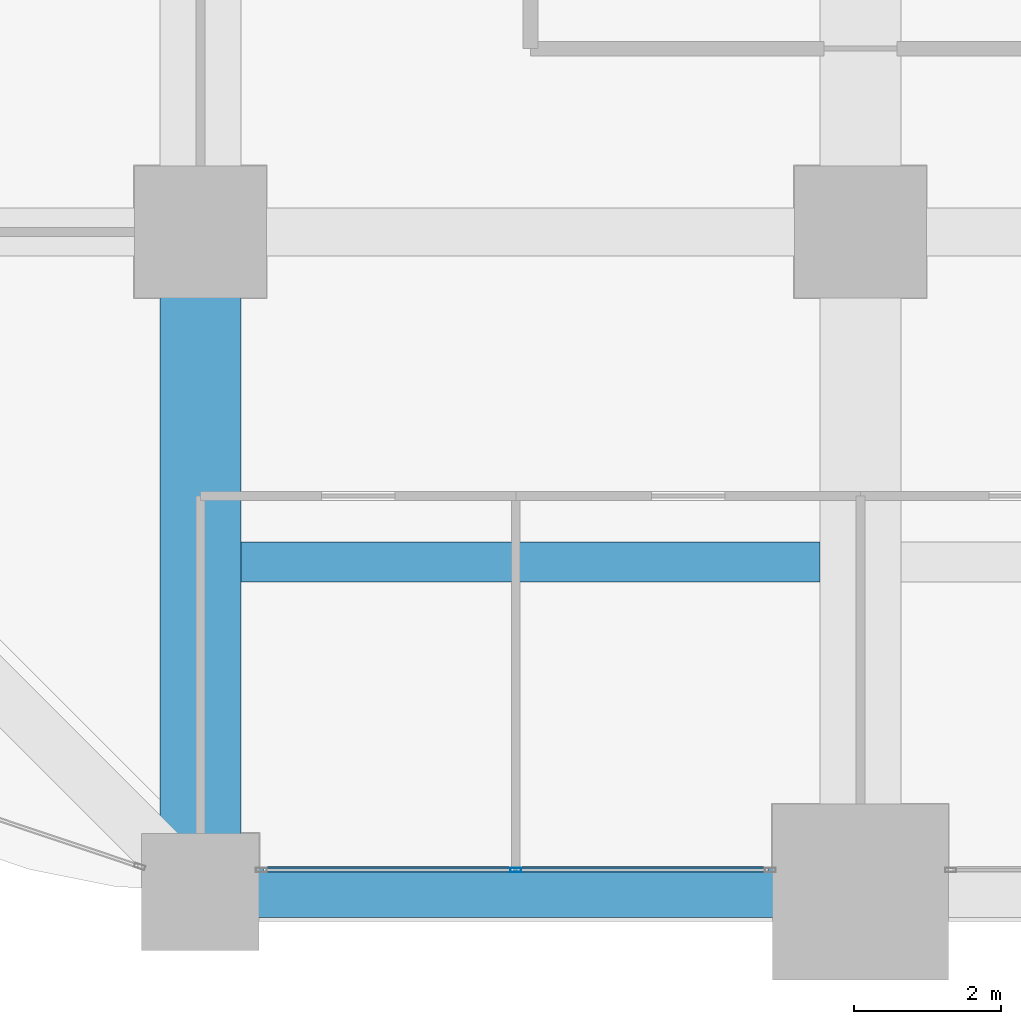
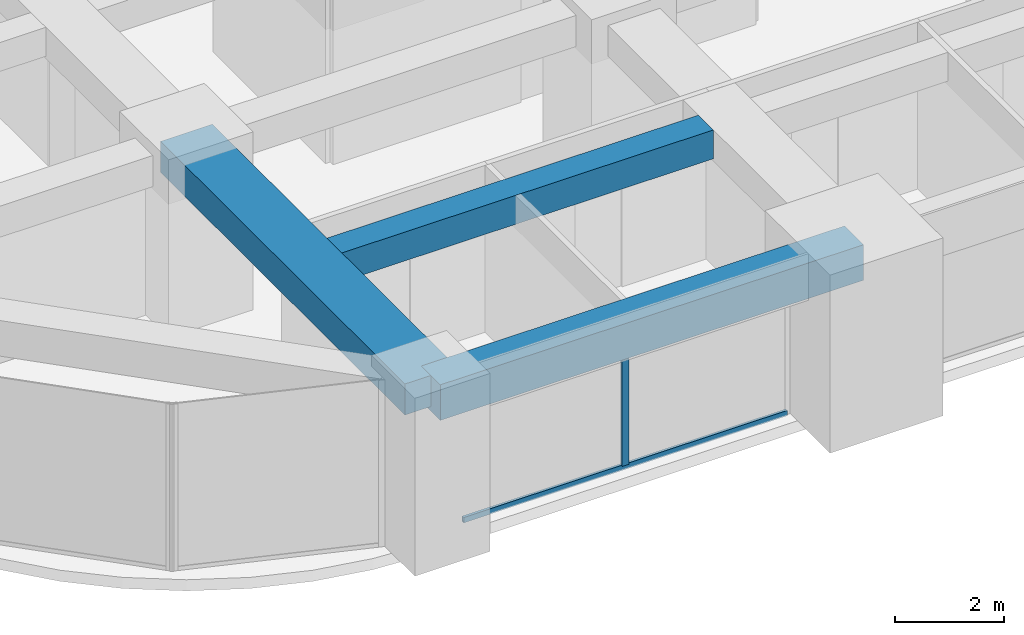
# One storey, part 3 of 40: 3 beams, 2 members, 1 element without a shape of its own.
"""IFC4 building model written with IfcOpenShell, lengths in metres."""

import ifcopenshell
import ifcopenshell.guid

model = None  # the IFC model being written
_history = None  # IfcOwnerHistory: only IFC2X3 demands one
_inside = {}  # id of a spatial element -> (the spatial element, [elements in it])
_under = {}  # id of a project, library or spatial element -> (it, [spatial elements below it])
_declared = {}  # id of a project -> (the project, [libraries it declares])
_typed = {}  # id of a type object -> (the type object, [elements of that type])
_made_of = {}  # id of a material, layer set ... -> (it, [elements and type objects made of it])


def new_model(schema):
    """Start an empty IFC model of exactly this schema.

    Asked for "IFC4X3", IfcOpenShell would pick the latest addendum, in which some entities
    have other attributes; the version numbers below select the first issue.
    IFC2X3 requires an IfcOwnerHistory on every rooted entity: one is made here for all.
    """
    global model, _history
    if schema == "IFC4X3":
        model = ifcopenshell.file(schema_version=(4, 3, 0, 0))
    else:
        model = ifcopenshell.file(schema=schema)
    _inside.clear()
    _under.clear()
    _declared.clear()
    _typed.clear()
    _made_of.clear()
    _history = None
    if model.schema == "IFC2X3":
        org = make("IfcOrganization", Name="unknown")
        user = make(
            "IfcPersonAndOrganization",
            ThePerson=make("IfcPerson", FamilyName="unknown"),
            TheOrganization=org,
        )
        app = make(
            "IfcApplication",
            ApplicationDeveloper=org,
            Version="unknown",
            ApplicationFullName="unknown",
            ApplicationIdentifier="unknown",
        )
        _history = make(
            "IfcOwnerHistory",
            OwningUser=user,
            OwningApplication=app,
            ChangeAction="ADDED",
            CreationDate=0,
        )
    return model


def make(cls, **values):
    """One entity of the class cls with the attributes given. An attribute that is None is left unset."""
    return model.create_entity(
        cls, **{name: value for name, value in values.items() if value is not None}
    )


def rooted(cls, **values):
    """An entity with a GlobalId (a new one), such as an element, a storey or a relation."""
    return make(cls, GlobalId=ifcopenshell.guid.new(), OwnerHistory=_history, **values)


def si_unit(unit_type, name, prefix=None):
    """IfcSIUnit, for example si_unit("LENGTHUNIT", "METRE", prefix="MILLI")."""
    return make("IfcSIUnit", UnitType=unit_type, Prefix=prefix, Name=name)


def assignment(units):
    """IfcUnitAssignment: the units of a project."""
    return None if units is None else make("IfcUnitAssignment", Units=units)


def point(xyz):
    """IfcCartesianPoint."""
    return None if xyz is None else make("IfcCartesianPoint", Coordinates=xyz)


def direction(xyz):
    """IfcDirection."""
    return None if xyz is None else make("IfcDirection", DirectionRatios=xyz)


def frame(location, z_axis=None, x_axis=None):
    """IfcAxis2Placement3D, a coordinate frame: its origin and axes. An axis left out is left unset."""
    return make(
        "IfcAxis2Placement3D",
        Location=point(location),
        Axis=direction(z_axis),
        RefDirection=direction(x_axis),
    )


def frame_2d(location, x_axis=None):
    """IfcAxis2Placement2D, a coordinate frame in the plane: its origin and x axis."""
    return make(
        "IfcAxis2Placement2D", Location=point(location), RefDirection=direction(x_axis)
    )


def origin():
    """The frame at (0, 0, 0) with its axes left unset."""
    return frame((0.0, 0.0, 0.0))


def origin_2d():
    """The frame at (0, 0) in the plane with its x axis left unset."""
    return frame_2d((0.0, 0.0))


def place(relative_to, where):
    """IfcLocalPlacement: puts the frame where relative to a parent placement (None: the world)."""
    return make(
        "IfcLocalPlacement", PlacementRelTo=relative_to, RelativePlacement=where
    )


def context(
    kind, dimensions, precision=None, world=None, true_north=None, identifier=None
):
    """IfcGeometricRepresentationContext, for example the 3D "Model" context."""
    return make(
        "IfcGeometricRepresentationContext",
        ContextIdentifier=identifier,
        ContextType=kind,
        CoordinateSpaceDimension=dimensions,
        Precision=precision,
        WorldCoordinateSystem=world,
        TrueNorth=true_north,
    )


def subcontext(parent, identifier, kind, view, scale=None):
    """IfcGeometricRepresentationSubContext, for example "Body" below "Model"."""
    return make(
        "IfcGeometricRepresentationSubContext",
        ContextIdentifier=identifier,
        ContextType=kind,
        ParentContext=parent,
        TargetScale=scale,
        TargetView=view,
    )


def project(units=None, contexts=None):
    """IfcProject with its units and contexts."""
    return rooted(
        "IfcProject",
        Name="project",
        RepresentationContexts=contexts,
        UnitsInContext=assignment(units),
    )


def spatial(cls, under=None, at=None, **own):
    """A site, building, storey or space (cls), placed at a placement, below another one or the project."""
    s = rooted(cls, ObjectPlacement=at, **own)
    if under is not None:
        _under.setdefault(under.id(), (under, []))[1].append(s)
    return s


def profile(cls, at=None, kind="AREA", **sizes):
    """A parametric profile (cls). Its sizes go by their IFC names, for example OverallWidth=200.0."""
    return make(cls, ProfileType=kind, Position=at, **sizes)


def rectangle(**sizes):
    """IfcRectangleProfileDef."""
    return profile("IfcRectangleProfileDef", **sizes)


def hollow_rectangle(**sizes):
    """IfcRectangleHollowProfileDef."""
    return profile("IfcRectangleHollowProfileDef", **sizes)


def extrude(swept, where, along, depth):
    """IfcExtrudedAreaSolid: the profile swept, set in the frame where, extruded along a direction by depth."""
    return make(
        "IfcExtrudedAreaSolid",
        SweptArea=swept,
        Position=where,
        ExtrudedDirection=direction(along),
        Depth=depth,
    )


def shape(context_of_items, identifier, shape_type, items):
    """IfcShapeRepresentation: the items that make up one representation, for example the "Body"."""
    return make(
        "IfcShapeRepresentation",
        ContextOfItems=context_of_items,
        RepresentationIdentifier=identifier,
        RepresentationType=shape_type,
        Items=items,
    )


def material(Name=None, Category=None):
    """IfcMaterial."""
    return make("IfcMaterial", Name=Name, Category=Category)


def material_profile(
    of_material, cross_section, Name=None, Category=None, Priority=None
):
    """IfcMaterialProfile: a cross section and its material."""
    return make(
        "IfcMaterialProfile",
        Name=Name,
        Material=of_material,
        Profile=cross_section,
        Priority=Priority,
        Category=Category,
    )


def profile_set(profiles, Name=None, composite=None):
    """IfcMaterialProfileSet."""
    return make(
        "IfcMaterialProfileSet",
        Name=Name,
        MaterialProfiles=profiles,
        CompositeProfile=composite,
    )


def made_of(thing, what):
    """Note that an element or type object is made of a material, layer set ...; save() writes the relation."""
    if what is not None:
        _made_of.setdefault(what.id(), (what, []))[1].append(thing)
    return thing


def type_object(cls, material=None, **own):
    """A type object (cls), such as IfcWallType, which elements share."""
    return made_of(rooted(cls, **own), material)


def element(
    cls,
    number,
    at=None,
    inside=None,
    cuts=None,
    type_object=None,
    material=None,
    context=None,
    identifier="Body",
    shape_type=None,
    held_by="IfcProductDefinitionShape",
    body=None,
    shapes=None,
    **own,
):
    """One element of the class cls, such as IfcWall. Its Tag is "e" and its number.

    at: its placement. inside: the storey or other place that contains it. cuts: it is an
    opening in that element (IfcRelVoidsElement). A single representation is given by context,
    identifier, shape_type and body (its items); several are given by shapes. held_by: the class
    of the entity that holds the representations. save() writes the other relations.
    """
    e = rooted(cls, Tag="e%d" % number, ObjectPlacement=at, **own)
    if body is not None:
        shapes = [shape(context, identifier, shape_type, body)]
    if shapes is not None:
        e.Representation = make(held_by, Representations=shapes)
    if inside is not None:
        _inside.setdefault(inside.id(), (inside, []))[1].append(e)
    if cuts is not None:
        rooted(
            "IfcRelVoidsElement", RelatingBuildingElement=cuts, RelatedOpeningElement=e
        )
    if type_object is not None:
        _typed.setdefault(type_object.id(), (type_object, []))[1].append(e)
    return made_of(e, material)


def aggregate(whole, parts):
    """IfcRelAggregates: a whole, such as a stair, and the parts it consists of."""
    return rooted("IfcRelAggregates", RelatingObject=whole, RelatedObjects=parts)


def save(model, path):
    """Write the relations noted so far, then the file.

    IfcRelAggregates (storeys below a building ...), IfcRelContainedInSpatialStructure (elements
    in a storey), IfcRelDefinesByType, IfcRelAssociatesMaterial and IfcRelDeclares: one each for
    every whole, place, type object, material and project.
    """
    for whole, parts in _under.values():
        aggregate(whole, parts)
    for where, things in _inside.values():
        rooted(
            "IfcRelContainedInSpatialStructure",
            RelatedElements=things,
            RelatingStructure=where,
        )
    for kind, things in _typed.values():
        rooted("IfcRelDefinesByType", RelatedObjects=things, RelatingType=kind)
    for what, things in _made_of.values():
        rooted("IfcRelAssociatesMaterial", RelatedObjects=things, RelatingMaterial=what)
    for by, libraries in _declared.values():
        rooted("IfcRelDeclares", RelatingContext=by, RelatedDefinitions=libraries)
    model.write(path)


model = new_model("IFC4")

# Units and contexts
model_context = context("Model", 3, precision=1e-05, world=origin(), true_north=direction((0.0, 1.0)))
body_context = subcontext(model_context, "Body", "Model", "MODEL_VIEW")
ifc_project = project(units=[si_unit("LENGTHUNIT", "METRE"), si_unit("AREAUNIT", "SQUARE_METRE"), si_unit("VOLUMEUNIT", "CUBIC_METRE"), si_unit("PLANEANGLEUNIT", "RADIAN"), si_unit("MASSUNIT", "GRAM", prefix="KILO")], contexts=[model_context])

# Site, building, storey
site_placement = place(None, origin())
site = spatial("IfcSite", under=ifc_project, at=site_placement, CompositionType="ELEMENT")
building_placement = place(site_placement, origin())
building = spatial("IfcBuilding", under=site, at=building_placement, Name="Zorevar Civic Tower", CompositionType="ELEMENT")
storey_placement = place(building_placement, frame((0.0, 0.0, 133.0)))
storey = spatial("IfcBuildingStorey", under=building, at=storey_placement, Name="L32", CompositionType="ELEMENT", Elevation=133.0)

# Beams
ifc_material_1 = material(Name="Concrete C50/60", Category="concrete")
ifc_material_profile_1 = material_profile(ifc_material_1, rectangle(XDim=1.10009765625, YDim=0.699951171875, at=origin_2d()), Name="RC 1100x700")
ifc_profile_set_1 = profile_set([ifc_material_profile_1], Name="Concrete C50/60")
beam_type_1 = type_object("IfcBeamType", Name="Beam RC 1100x700", PredefinedType="BEAM", material=ifc_profile_set_1)
beam_1_placement = place(storey_placement, frame((9.0, 0.0, 3.39990234375), z_axis=(0.0, 1.0, 0.0), x_axis=(-1.0, 0.0, 0.0)))
element("IfcBeam", 1, at=beam_1_placement, inside=storey, type_object=beam_type_1, Name="Girder L33", PredefinedType="BEAM", context=body_context, shape_type="SweptSolid", body=[
    extrude(rectangle(XDim=1.10009765625, YDim=0.699951171875, at=origin_2d()), origin(), (0.0, 0.0, 1.0), 9.0),
])
ifc_material_2 = material(Name="Concrete C50/60", Category="concrete")
ifc_material_profile_2 = material_profile(ifc_material_2, rectangle(XDim=0.550048828125, YDim=0.64990234375, at=origin_2d()), Name="RC 550x650")
ifc_profile_set_2 = profile_set([ifc_material_profile_2], Name="Concrete C50/60")
beam_type_2 = type_object("IfcBeamType", Name="Beam RC 550x650", PredefinedType="BEAM", material=ifc_profile_set_2)
beam_2_placement = place(storey_placement, frame((9.550048828125, 4.5, 3.425048828125), z_axis=(1.0, 0.0, 0.0), x_axis=(0.0, 1.0, 0.0)))
element("IfcBeam", 2, at=beam_2_placement, inside=storey, type_object=beam_type_2, Name="Secondary beam L33", PredefinedType="BEAM", context=body_context, shape_type="SweptSolid", body=[
    extrude(rectangle(XDim=0.550048828125, YDim=0.64990234375, at=origin_2d()), origin(), (0.0, 0.0, 1.0), 7.89990234375),
])

# Curtain wall, members
ifc_material_3 = material(Name="Dark grey solar-control glass in black aluminium frame", Category="aluminium")
curtain_wall_type = type_object("IfcCurtainWallType", Name="Curtain wall CW3 mid zone", PredefinedType="NOTDEFINED", material=ifc_material_3)
curtain_wall_placement = place(storey_placement, origin())
curtain_wall = element("IfcCurtainWall", 3, at=curtain_wall_placement, inside=storey, type_object=curtain_wall_type, Name="CW3 L32", PredefinedType="NOTDEFINED")
ifc_material_4 = material(Name="Aluminium, black anodised", Category="aluminium")
ifc_material_profile_3 = material_profile(ifc_material_4, hollow_rectangle(XDim=0.06005859375, YDim=0.14990234375, WallThickness=0.00390625, at=origin_2d()), Name="AL 150x60x4")
ifc_profile_set_3 = profile_set([ifc_material_profile_3], Name="Aluminium, black anodised")
member_type_1 = type_object("IfcMemberType", Name="CW3 mullion AL 150x60x4", PredefinedType="MULLION", material=ifc_profile_set_3)
member_1_placement = place(storey_placement, frame((13.300048828125, 0.300048828125, 0.06005859375), z_axis=(0.0, 0.0, 1.0), x_axis=(0.0, 1.0, 0.0)))
member_1 = element("IfcMember", 4, at=member_1_placement, type_object=member_type_1, Name="CW3 mullion 2", PredefinedType="MULLION", context=body_context, shape_type="SweptSolid", body=[
    extrude(hollow_rectangle(XDim=0.06005859375, YDim=0.14990234375, WallThickness=0.00390625, at=origin_2d()), origin(), (0.0, 0.0, 1.0), 2.889892578125),
])
ifc_material_5 = material(Name="Aluminium, black anodised", Category="aluminium")
ifc_material_profile_4 = material_profile(ifc_material_5, hollow_rectangle(XDim=0.06005859375, YDim=0.1201171875, WallThickness=0.0029296875, at=origin_2d()), Name="AL 120x60x3")
ifc_profile_set_4 = profile_set([ifc_material_profile_4], Name="Aluminium, black anodised")
member_type_2 = type_object("IfcMemberType", Name="CW3 transom AL 120x60x3", PredefinedType="USERDEFINED", material=ifc_profile_set_4)
member_2_placement = place(storey_placement, frame((9.860107421875, 0.300048828125, 0.030029296875), z_axis=(1.0, 0.0, 0.0), x_axis=(0.0, 1.0, 0.0)))
member_2 = element("IfcMember", 5, at=member_2_placement, type_object=member_type_2, Name="CW3 sill transom", ObjectType="TRANSOM", PredefinedType="USERDEFINED", context=body_context, shape_type="SweptSolid", body=[
    extrude(hollow_rectangle(XDim=0.06005859375, YDim=0.1201171875, WallThickness=0.0029296875, at=origin_2d()), origin(), (0.0, 0.0, 1.0), 6.8798828125),
])
aggregate(curtain_wall, [member_1, member_2])

# Beam
ifc_material_6 = material(Name="Concrete C50/60", Category="concrete")
ifc_material_profile_5 = material_profile(ifc_material_6, rectangle(XDim=0.699951171875, YDim=0.800048828125, at=origin_2d()), Name="RC 700x800")
ifc_profile_set_5 = profile_set([ifc_material_profile_5], Name="Concrete C50/60")
beam_type_3 = type_object("IfcBeamType", Name="Edge beam RC 700x800", PredefinedType="SPANDREL", material=ifc_profile_set_5)
beam_3_placement = place(storey_placement, frame((9.0, 0.0, 3.35009765625), z_axis=(1.0, 0.0, 0.0), x_axis=(0.0, 1.0, 0.0)))
element("IfcBeam", 6, at=beam_3_placement, inside=storey, type_object=beam_type_3, Name="Edge beam L33", PredefinedType="SPANDREL", context=body_context, shape_type="SweptSolid", body=[
    extrude(rectangle(XDim=0.699951171875, YDim=0.800048828125, at=origin_2d()), origin(), (0.0, 0.0, 1.0), 9.0),
])

save(model, "model.ifc")
